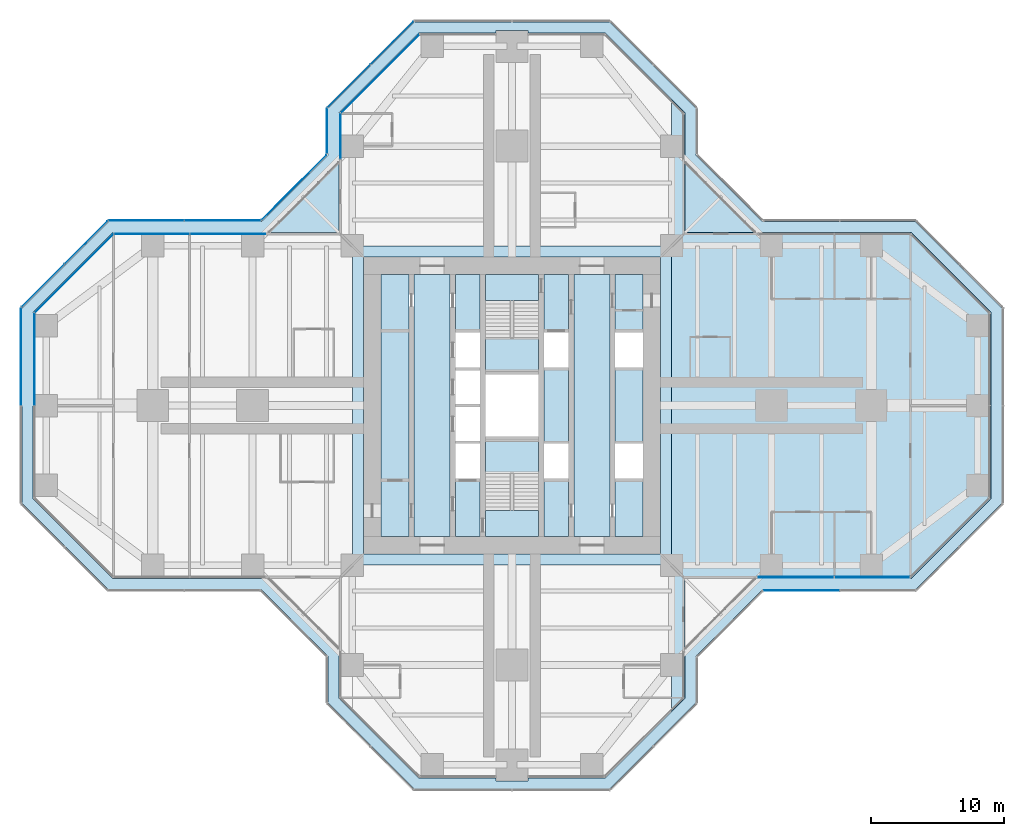
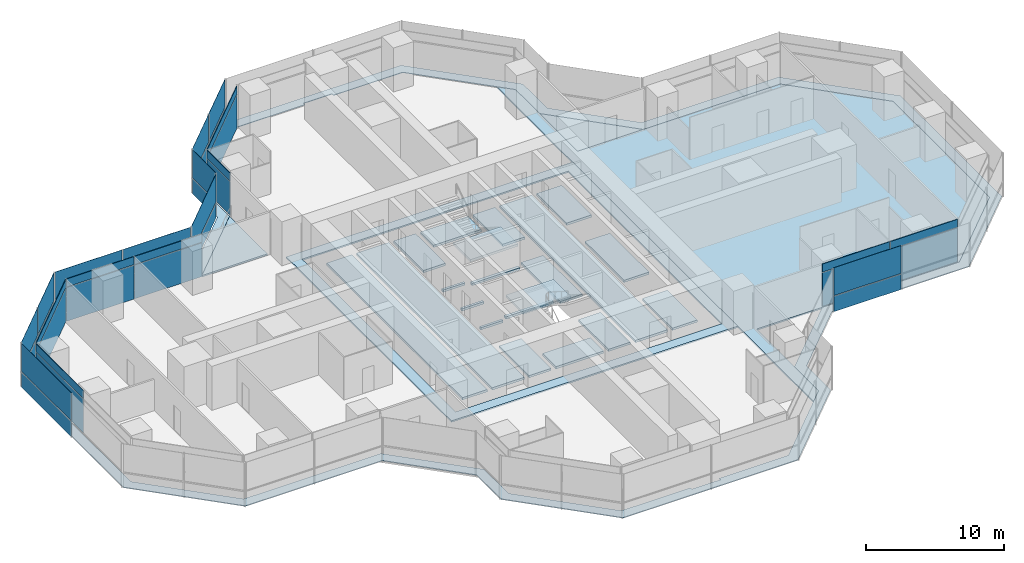
# One storey, part 13 of 20: 37 plates, 9 slabs, 15 elements without a shape of their own.
"""IFC4 building model written with IfcOpenShell, lengths in metres."""

from ifc_helpers import new_model, si_unit, direction, frame, origin, origin_2d, place, context, subcontext, project, spatial, polyline, rectangle, outline, extrude, material, layer, layer_set, type_object, element, aggregate, save


model = new_model("IFC4")

# Units and contexts
model_context = context("Model", 3, precision=1e-05, world=origin(), true_north=direction((0.0, 1.0)))
body_context = subcontext(model_context, "Body", "Model", "MODEL_VIEW")
ifc_project = project(units=[si_unit("LENGTHUNIT", "METRE"), si_unit("AREAUNIT", "SQUARE_METRE"), si_unit("VOLUMEUNIT", "CUBIC_METRE"), si_unit("PLANEANGLEUNIT", "RADIAN"), si_unit("MASSUNIT", "GRAM", prefix="KILO")], contexts=[model_context])

# Site, building, storey
site_placement = place(None, origin())
site = spatial("IfcSite", under=ifc_project, at=site_placement, CompositionType="ELEMENT")
building_placement = place(site_placement, origin())
building = spatial("IfcBuilding", under=site, at=building_placement, Name="Mizan Broadcast Tower", CompositionType="ELEMENT")
storey_placement = place(building_placement, frame((0.0, 0.0, 151.5)))
storey = spatial("IfcBuildingStorey", under=building, at=storey_placement, Name="L34", CompositionType="ELEMENT", Elevation=151.5)

# Plate
ifc_material_1 = material(Name="Aluminium grating", Category="aluminium")
ifc_layer_1 = layer(ifc_material_1, 0.050048828125)
ifc_layer_set_1 = layer_set([ifc_layer_1], Name="Aluminium grating")
plate_type_1 = type_object("IfcPlateType", Name="CAVITY GRATING", PredefinedType="USERDEFINED", material=ifc_layer_set_1)
plate_1_placement = place(storey_placement, frame((0.0, 0.0, -0.050048828125)))
element("IfcPlate", 1, at=plate_1_placement, inside=storey, type_object=plate_type_1, Name="Cavity grating L34", ObjectType="GRATING", PredefinedType="USERDEFINED", context=body_context, shape_type="SweptSolid", body=[
    extrude(outline(polyline([(13.820068359375, -18.839599609375), (18.839599609375, -13.820068359375), (30.339599609375, -13.820068359375), (36.820068359375, -7.339599609375), (36.820068359375, 7.339599609375), (30.339599609375, 13.820068359375), (18.839599609375, 13.820068359375), (13.820068359375, 18.839599609375), (13.820068359375, 22.339599609375), (7.339599609375, 28.820068359375), (-7.339599609375, 28.820068359375), (-13.820068359375, 22.339599609375), (-13.820068359375, 18.839599609375), (-18.839599609375, 13.820068359375), (-30.339599609375, 13.820068359375), (-36.820068359375, 7.339599609375), (-36.820068359375, -7.339599609375), (-30.339599609375, -13.820068359375), (-18.839599609375, -13.820068359375), (-13.820068359375, -18.839599609375), (-13.820068359375, -22.339599609375), (-7.339599609375, -28.820068359375), (7.339599609375, -28.820068359375), (13.820068359375, -22.339599609375), (13.820068359375, -18.839599609375)]), holes=[polyline([(36.0, 7.0), (36.0, -7.0), (30.0, -13.0), (18.5, -13.0), (13.0, -18.5), (13.0, -22.0), (7.0, -28.0), (1.199951171875, -28.0), (1.199951171875, -28.199951171875), (-1.199951171875, -28.199951171875), (-1.199951171875, -28.0), (-7.0, -28.0), (-13.0, -22.0), (-13.0, -18.5), (-18.5, -13.0), (-30.0, -13.0), (-36.0, -7.0), (-36.0, 7.0), (-30.0, 13.0), (-18.5, 13.0), (-13.0, 18.5), (-13.0, 22.0), (-7.0, 28.0), (-1.199951171875, 28.0), (-1.199951171875, 28.199951171875), (1.199951171875, 28.199951171875), (1.199951171875, 28.0), (7.0, 28.0), (13.0, 22.0), (13.0, 18.5), (18.5, 13.0), (30.0, 13.0), (36.0, 7.0)])]), origin(), (0.0, 0.0, 1.0), 0.050048828125),
])

# Slabs
ifc_material_2 = material(Name="Concrete C32/40", Category="concrete")
ifc_layer_2 = layer(ifc_material_2, 0.1298828125)
ifc_layer_set_2 = layer_set([ifc_layer_2], Name="Concrete C32/40")
slab_type_1 = type_object("IfcSlabType", Name="COMPOSITE DECK SLAB 130", PredefinedType="FLOOR", material=ifc_layer_set_2)
slab_1_placement = place(storey_placement, frame((0.0, 0.0, -0.1298828125)))
element("IfcSlab", 2, at=slab_1_placement, inside=storey, type_object=slab_type_1, Name="Floor slab L34 centre", PredefinedType="FLOOR", context=body_context, shape_type="SweptSolid", body=[
    extrude(outline(polyline([(-12.0, -12.0), (12.0, -12.0), (12.0, 12.0), (-12.0, 12.0), (-12.0, -12.0)]), holes=[polyline([(-11.14990234375, 11.14990234375), (11.14990234375, 11.14990234375), (11.14990234375, -11.14990234375), (-11.14990234375, -11.14990234375), (-11.14990234375, 11.14990234375)])]), origin(), (0.0, 0.0, 1.0), 0.1298828125),
])
slab_2_placement = place(storey_placement, frame((0.0, 0.0, -0.1298828125)))
element("IfcSlab", 3, at=slab_2_placement, inside=storey, type_object=slab_type_1, Name="Floor slab L34 east arm", PredefinedType="FLOOR", context=body_context, shape_type="SweptSolid", body=[
    extrude(outline(polyline([(12.0, -23.0), (13.0, -22.0), (13.0, -13.0), (30.0, -13.0), (36.0, -7.0), (36.0, 7.0), (30.0, 13.0), (13.0, 13.0), (13.0, 22.0), (12.0, 23.0), (12.0, -23.0)])), origin(), (0.0, 0.0, 1.0), 0.1298828125),
])
ifc_material_3 = material(Name="Concrete C40/50", Category="concrete")
ifc_layer_3 = layer(ifc_material_3, 0.199951171875)
ifc_layer_set_3 = layer_set([ifc_layer_3], Name="Concrete C40/50")
slab_type_2 = type_object("IfcSlabType", Name="CORE FLOOR 200", PredefinedType="FLOOR", material=ifc_layer_set_3)
slab_3_placement = place(storey_placement, frame((0.0, 0.0, -0.199951171875)))
element("IfcSlab", 4, at=slab_3_placement, inside=storey, type_object=slab_type_2, Name="Core floor L34", PredefinedType="FLOOR", context=body_context, shape_type="SweptSolid", body=[
    extrude(outline(polyline([(-9.85009765625, -9.85009765625), (-7.75, -9.85009765625), (-7.75, 9.85009765625), (-9.85009765625, 9.85009765625), (-9.85009765625, -9.85009765625)])), origin(), (0.0, 0.0, 1.0), 0.199951171875),
    extrude(outline(polyline([(-4.64990234375, 9.85009765625), (-7.35009765625, 9.85009765625), (-7.35009765625, -9.85009765625), (-4.64990234375, -9.85009765625), (-4.64990234375, 9.85009765625)])), origin(), (0.0, 0.0, 1.0), 0.199951171875),
    extrude(outline(polyline([(-4.25, -5.5), (-4.25, -9.85009765625), (-2.39990234375, -9.85009765625), (-2.39990234375, -5.5), (-4.25, -5.5)])), origin(), (0.0, 0.0, 1.0), 0.199951171875),
    extrude(outline(polyline([(-4.25, -2.85009765625), (-2.39990234375, -2.85009765625), (-2.39990234375, -2.64990234375), (-4.25, -2.64990234375), (-4.25, -2.85009765625)])), origin(), (0.0, 0.0, 1.0), 0.199951171875),
    extrude(outline(polyline([(-4.25, -0.10009765625), (-2.39990234375, -0.10009765625), (-2.39990234375, 0.10009765625), (-4.25, 0.10009765625), (-4.25, -0.10009765625)])), origin(), (0.0, 0.0, 1.0), 0.199951171875),
    extrude(outline(polyline([(-4.25, 2.64990234375), (-2.39990234375, 2.64990234375), (-2.39990234375, 2.85009765625), (-4.25, 2.85009765625), (-4.25, 2.64990234375)])), origin(), (0.0, 0.0, 1.0), 0.199951171875),
    extrude(outline(polyline([(-4.25, 5.5), (-2.39990234375, 5.5), (-2.39990234375, 9.85009765625), (-4.25, 9.85009765625), (-4.25, 5.5)])), origin(), (0.0, 0.0, 1.0), 0.199951171875),
    extrude(outline(polyline([(2.0, -2.324951171875), (-2.0, -2.324951171875), (-2.0, -2.574951171875), (2.0, -2.574951171875), (2.0, -2.324951171875)])), origin(), (0.0, 0.0, 1.0), 0.199951171875),
    extrude(outline(polyline([(2.0, 2.574951171875), (-2.0, 2.574951171875), (-2.0, 2.324951171875), (2.0, 2.324951171875), (2.0, 2.574951171875)])), origin(), (0.0, 0.0, 1.0), 0.199951171875),
    extrude(outline(polyline([(4.25, -9.85009765625), (4.25, -5.5), (2.39990234375, -5.5), (2.39990234375, -9.85009765625), (4.25, -9.85009765625)])), origin(), (0.0, 0.0, 1.0), 0.199951171875),
    extrude(outline(polyline([(4.25, -2.85009765625), (4.25, 2.85009765625), (2.39990234375, 2.85009765625), (2.39990234375, -2.85009765625), (4.25, -2.85009765625)])), origin(), (0.0, 0.0, 1.0), 0.199951171875),
    extrude(outline(polyline([(4.25, 5.5), (4.25, 9.85009765625), (2.39990234375, 9.85009765625), (2.39990234375, 5.5), (4.25, 5.5)])), origin(), (0.0, 0.0, 1.0), 0.199951171875),
    extrude(outline(polyline([(4.64990234375, 9.85009765625), (4.64990234375, -9.85009765625), (7.35009765625, -9.85009765625), (7.35009765625, 9.85009765625), (4.64990234375, 9.85009765625)])), origin(), (0.0, 0.0, 1.0), 0.199951171875),
    extrude(outline(polyline([(9.85009765625, -9.85009765625), (9.85009765625, -5.5), (7.75, -5.5), (7.75, -9.85009765625), (9.85009765625, -9.85009765625)])), origin(), (0.0, 0.0, 1.0), 0.199951171875),
    extrude(outline(polyline([(7.75, -2.85009765625), (9.85009765625, -2.85009765625), (9.85009765625, 2.85009765625), (7.75, 2.85009765625), (7.75, -2.85009765625)])), origin(), (0.0, 0.0, 1.0), 0.199951171875),
    extrude(outline(polyline([(9.85009765625, 5.5), (9.85009765625, 9.85009765625), (7.75, 9.85009765625), (7.75, 5.5), (9.85009765625, 5.5)])), origin(), (0.0, 0.0, 1.0), 0.199951171875),
])

# Curtain wall, plates
ifc_material_4 = material(Name="Aluminium framed glazing", Category="aluminium")
curtain_wall_type_1 = type_object("IfcCurtainWallType", Name="INNER SKIN MID ZONE", PredefinedType="USERDEFINED", material=ifc_material_4)
curtain_wall_1_placement = place(storey_placement, origin())
curtain_wall_1 = element("IfcCurtainWall", 5, at=curtain_wall_1_placement, inside=storey, type_object=curtain_wall_type_1, Name="Inner skin mid zone L34 E side", ObjectType="INNER SKIN MID ZONE", PredefinedType="USERDEFINED")
ifc_material_5 = material(Name="Double glazing, clear low-e", Category="glass")
ifc_layer_4 = layer(ifc_material_5, 0.028076171875)
ifc_layer_set_4 = layer_set([ifc_layer_4], Name="Double glazing, clear low-e")
plate_type_2 = type_object("IfcPlateType", Name="INNER SKIN GLAZING UNIT", PredefinedType="CURTAIN_PANEL", material=ifc_layer_set_4)
plate_2_placement = place(storey_placement, frame((21.379638671875, -12.89990234375, 0.0), z_axis=(0.0, 0.0, 1.0), x_axis=(1.0, 0.0, 0.0)))
plate_2 = element("IfcPlate", 6, at=plate_2_placement, type_object=plate_type_2, Name="Inner skin mid zone L34 E side panel 1.1", PredefinedType="CURTAIN_PANEL", context=body_context, shape_type="SweptSolid", body=[
    extrude(rectangle(XDim=5.639404296875, YDim=0.028076171875, at=origin_2d()), origin(), (0.0, 0.0, 1.0), 3.0),
])
plate_3_placement = place(storey_placement, frame((27.078857421875, -12.89990234375, 0.0), z_axis=(0.0, 0.0, 1.0), x_axis=(1.0, 0.0, 0.0)))
plate_3 = element("IfcPlate", 7, at=plate_3_placement, type_object=plate_type_2, Name="Inner skin mid zone L34 E side panel 2.1", PredefinedType="CURTAIN_PANEL", context=body_context, shape_type="SweptSolid", body=[
    extrude(rectangle(XDim=5.639404296875, YDim=0.028076171875, at=origin_2d()), origin(), (0.0, 0.0, 1.0), 3.0),
])

# Curtain wall, plate
curtain_wall_2_placement = place(storey_placement, origin())
curtain_wall_2 = element("IfcCurtainWall", 8, at=curtain_wall_2_placement, inside=storey, type_object=curtain_wall_type_1, Name="Inner skin mid zone L34 N chamfer", ObjectType="INNER SKIN MID ZONE", PredefinedType="USERDEFINED")
plate_4_placement = place(storey_placement, frame((-9.92919921875, 24.92919921875, 0.0), z_axis=(0.0, 0.0, 1.0), x_axis=(-0.707106781187, -0.707106781187, 0.0)))
plate_4 = element("IfcPlate", 9, at=plate_4_placement, type_object=plate_type_2, Name="Inner skin mid zone L34 N chamfer panel 1.1", PredefinedType="CURTAIN_PANEL", context=body_context, shape_type="SweptSolid", body=[
    extrude(rectangle(XDim=8.282470703125, YDim=0.028076171875, at=origin_2d()), origin(), (0.0, 0.0, 1.0), 3.0),
])

curtain_wall_3_placement = place(storey_placement, origin())
curtain_wall_3 = element("IfcCurtainWall", 10, at=curtain_wall_3_placement, inside=storey, type_object=curtain_wall_type_1, Name="Inner skin mid zone L34 N side", ObjectType="INNER SKIN MID ZONE", PredefinedType="USERDEFINED")
plate_5_placement = place(storey_placement, frame((-12.89990234375, 20.229248046875, 0.0), z_axis=(0.0, 0.0, 1.0), x_axis=(0.0, -1.0, 0.0)))
plate_5 = element("IfcPlate", 11, at=plate_5_placement, type_object=plate_type_2, Name="Inner skin mid zone L34 N side panel 1.1", PredefinedType="CURTAIN_PANEL", context=body_context, shape_type="SweptSolid", body=[
    extrude(rectangle(XDim=3.338623046875, YDim=0.028076171875, at=origin_2d()), origin(), (0.0, 0.0, 1.0), 3.0),
])

# Curtain wall, plates
curtain_wall_4_placement = place(storey_placement, origin())
curtain_wall_4 = element("IfcCurtainWall", 12, at=curtain_wall_4_placement, inside=storey, type_object=curtain_wall_type_1, Name="Inner skin mid zone L34 W side", ObjectType="INNER SKIN MID ZONE", PredefinedType="USERDEFINED")
plate_6_placement = place(storey_placement, frame((-21.379638671875, 12.89990234375, 0.0), z_axis=(0.0, 0.0, 1.0), x_axis=(-1.0, 0.0, 0.0)))
plate_6 = element("IfcPlate", 13, at=plate_6_placement, type_object=plate_type_2, Name="Inner skin mid zone L34 W side panel 1.1", PredefinedType="CURTAIN_PANEL", context=body_context, shape_type="SweptSolid", body=[
    extrude(rectangle(XDim=5.639404296875, YDim=0.028076171875, at=origin_2d()), origin(), (0.0, 0.0, 1.0), 3.0),
])
plate_7_placement = place(storey_placement, frame((-27.078857421875, 12.89990234375, 0.0), z_axis=(0.0, 0.0, 1.0), x_axis=(-1.0, 0.0, 0.0)))
plate_7 = element("IfcPlate", 14, at=plate_7_placement, type_object=plate_type_2, Name="Inner skin mid zone L34 W side panel 2.1", PredefinedType="CURTAIN_PANEL", context=body_context, shape_type="SweptSolid", body=[
    extrude(rectangle(XDim=5.639404296875, YDim=0.028076171875, at=origin_2d()), origin(), (0.0, 0.0, 1.0), 3.0),
])

# Curtain wall, plate
curtain_wall_5_placement = place(storey_placement, origin())
curtain_wall_5 = element("IfcCurtainWall", 15, at=curtain_wall_5_placement, inside=storey, type_object=curtain_wall_type_1, Name="Inner skin mid zone L34 W chamfer", ObjectType="INNER SKIN MID ZONE", PredefinedType="USERDEFINED")
plate_8_placement = place(storey_placement, frame((-32.92919921875, 9.92919921875, 0.0), z_axis=(0.0, 0.0, 1.0), x_axis=(-0.707106781187, -0.707106781187, 0.0)))
plate_8 = element("IfcPlate", 16, at=plate_8_placement, type_object=plate_type_2, Name="Inner skin mid zone L34 W chamfer panel 1.1", PredefinedType="CURTAIN_PANEL", context=body_context, shape_type="SweptSolid", body=[
    extrude(rectangle(XDim=8.282470703125, YDim=0.028076171875, at=origin_2d()), origin(), (0.0, 0.0, 1.0), 3.0),
])

curtain_wall_6_placement = place(storey_placement, origin())
curtain_wall_6 = element("IfcCurtainWall", 17, at=curtain_wall_6_placement, inside=storey, type_object=curtain_wall_type_1, Name="Inner skin mid zone L34 W end", ObjectType="INNER SKIN MID ZONE", PredefinedType="USERDEFINED")
plate_9_placement = place(storey_placement, frame((-35.89990234375, 3.46435546875, 0.0), z_axis=(0.0, 0.0, 1.0), x_axis=(0.0, -1.0, 0.0)))
plate_9 = element("IfcPlate", 18, at=plate_9_placement, type_object=plate_type_2, Name="Inner skin mid zone L34 W end panel 1.1", PredefinedType="CURTAIN_PANEL", context=body_context, shape_type="SweptSolid", body=[
    extrude(rectangle(XDim=6.86865234375, YDim=0.028076171875, at=origin_2d()), origin(), (0.0, 0.0, 1.0), 3.0),
])

# Plate
ifc_material_6 = material(Name="Insulated aluminium spandrel panel, pale anodised", Category="aluminium")
ifc_layer_5 = layer(ifc_material_6, 0.050048828125)
ifc_layer_set_5 = layer_set([ifc_layer_5], Name="Insulated aluminium spandrel panel, pale anodised")
plate_type_3 = type_object("IfcPlateType", Name="INNER SKIN SPANDREL PANEL", PredefinedType="CURTAIN_PANEL", material=ifc_layer_set_5)
plate_10_placement = place(storey_placement, frame((21.379638671875, -12.89990234375, 3.06005859375), z_axis=(0.0, 0.0, 1.0), x_axis=(1.0, 0.0, 0.0)))
plate_10 = element("IfcPlate", 19, at=plate_10_placement, type_object=plate_type_3, Name="Inner skin mid zone L34 E side panel 1.2", PredefinedType="CURTAIN_PANEL", context=body_context, shape_type="SweptSolid", body=[
    extrude(rectangle(XDim=5.639404296875, YDim=0.050048828125, at=origin_2d()), origin(), (0.0, 0.0, 1.0), 0.7099609375),
])

plate_11_placement = place(storey_placement, frame((27.078857421875, -12.89990234375, 3.06005859375), z_axis=(0.0, 0.0, 1.0), x_axis=(1.0, 0.0, 0.0)))
plate_11 = element("IfcPlate", 20, at=plate_11_placement, type_object=plate_type_3, Name="Inner skin mid zone L34 E side panel 2.2", PredefinedType="CURTAIN_PANEL", context=body_context, shape_type="SweptSolid", body=[
    extrude(rectangle(XDim=5.639404296875, YDim=0.050048828125, at=origin_2d()), origin(), (0.0, 0.0, 1.0), 0.7099609375),
])

aggregate(curtain_wall_1, [plate_2, plate_10, plate_3, plate_11])

plate_12_placement = place(storey_placement, frame((-9.92919921875, 24.92919921875, 3.06005859375), z_axis=(0.0, 0.0, 1.0), x_axis=(-0.707106781187, -0.707106781187, 0.0)))
plate_12 = element("IfcPlate", 21, at=plate_12_placement, type_object=plate_type_3, Name="Inner skin mid zone L34 N chamfer panel 1.2", PredefinedType="CURTAIN_PANEL", context=body_context, shape_type="SweptSolid", body=[
    extrude(rectangle(XDim=8.282470703125, YDim=0.050048828125, at=origin_2d()), origin(), (0.0, 0.0, 1.0), 0.7099609375),
])

aggregate(curtain_wall_2, [plate_4, plate_12])

plate_13_placement = place(storey_placement, frame((-12.89990234375, 20.229248046875, 3.06005859375), z_axis=(0.0, 0.0, 1.0), x_axis=(0.0, -1.0, 0.0)))
plate_13 = element("IfcPlate", 22, at=plate_13_placement, type_object=plate_type_3, Name="Inner skin mid zone L34 N side panel 1.2", PredefinedType="CURTAIN_PANEL", context=body_context, shape_type="SweptSolid", body=[
    extrude(rectangle(XDim=3.338623046875, YDim=0.050048828125, at=origin_2d()), origin(), (0.0, 0.0, 1.0), 0.7099609375),
])

aggregate(curtain_wall_3, [plate_5, plate_13])

plate_14_placement = place(storey_placement, frame((-21.379638671875, 12.89990234375, 3.06005859375), z_axis=(0.0, 0.0, 1.0), x_axis=(-1.0, 0.0, 0.0)))
plate_14 = element("IfcPlate", 23, at=plate_14_placement, type_object=plate_type_3, Name="Inner skin mid zone L34 W side panel 1.2", PredefinedType="CURTAIN_PANEL", context=body_context, shape_type="SweptSolid", body=[
    extrude(rectangle(XDim=5.639404296875, YDim=0.050048828125, at=origin_2d()), origin(), (0.0, 0.0, 1.0), 0.7099609375),
])

plate_15_placement = place(storey_placement, frame((-27.078857421875, 12.89990234375, 3.06005859375), z_axis=(0.0, 0.0, 1.0), x_axis=(-1.0, 0.0, 0.0)))
plate_15 = element("IfcPlate", 24, at=plate_15_placement, type_object=plate_type_3, Name="Inner skin mid zone L34 W side panel 2.2", PredefinedType="CURTAIN_PANEL", context=body_context, shape_type="SweptSolid", body=[
    extrude(rectangle(XDim=5.639404296875, YDim=0.050048828125, at=origin_2d()), origin(), (0.0, 0.0, 1.0), 0.7099609375),
])

aggregate(curtain_wall_4, [plate_6, plate_14, plate_7, plate_15])

plate_16_placement = place(storey_placement, frame((-32.92919921875, 9.92919921875, 3.06005859375), z_axis=(0.0, 0.0, 1.0), x_axis=(-0.707106781187, -0.707106781187, 0.0)))
plate_16 = element("IfcPlate", 25, at=plate_16_placement, type_object=plate_type_3, Name="Inner skin mid zone L34 W chamfer panel 1.2", PredefinedType="CURTAIN_PANEL", context=body_context, shape_type="SweptSolid", body=[
    extrude(rectangle(XDim=8.282470703125, YDim=0.050048828125, at=origin_2d()), origin(), (0.0, 0.0, 1.0), 0.7099609375),
])

aggregate(curtain_wall_5, [plate_8, plate_16])

plate_17_placement = place(storey_placement, frame((-35.89990234375, 3.46435546875, 3.06005859375), z_axis=(0.0, 0.0, 1.0), x_axis=(0.0, -1.0, 0.0)))
plate_17 = element("IfcPlate", 26, at=plate_17_placement, type_object=plate_type_3, Name="Inner skin mid zone L34 W end panel 1.2", PredefinedType="CURTAIN_PANEL", context=body_context, shape_type="SweptSolid", body=[
    extrude(rectangle(XDim=6.86865234375, YDim=0.050048828125, at=origin_2d()), origin(), (0.0, 0.0, 1.0), 0.7099609375),
])

aggregate(curtain_wall_6, [plate_9, plate_17])

# Curtain wall, plates
ifc_material_7 = material(Name="Aluminium framed glazing", Category="aluminium")
curtain_wall_type_2 = type_object("IfcCurtainWallType", Name="OUTER SKIN", PredefinedType="USERDEFINED", material=ifc_material_7)
curtain_wall_7_placement = place(storey_placement, origin())
curtain_wall_7 = element("IfcCurtainWall", 27, at=curtain_wall_7_placement, inside=storey, type_object=curtain_wall_type_2, Name="Outer skin L34 N chamfer", ObjectType="OUTER SKIN", PredefinedType="USERDEFINED")
ifc_material_8 = material(Name="Laminated clear glass", Category="glass")
ifc_layer_6 = layer(ifc_material_8, 0.02001953125)
ifc_layer_set_6 = layer_set([ifc_layer_6], Name="Laminated clear glass")
plate_type_4 = type_object("IfcPlateType", Name="OUTER SKIN CLEAR GLASS", PredefinedType="CURTAIN_PANEL", material=ifc_layer_set_6)
plate_18_placement = place(storey_placement, frame((-9.018798828125, 27.254150390625, 0.0), z_axis=(0.0, 0.0, 1.0), x_axis=(-0.707106781187, -0.707106781187, 0.0)))
plate_18 = element("IfcPlate", 28, at=plate_18_placement, type_object=plate_type_4, Name="Outer skin L34 N chamfer panel 1.1", PredefinedType="CURTAIN_PANEL", context=body_context, shape_type="SweptSolid", body=[
    extrude(rectangle(XDim=4.495361328125, YDim=0.02001953125, at=origin_2d()), origin(), (0.0, 0.0, 1.0), 1.3701171875),
])
plate_19_placement = place(storey_placement, frame((-9.018798828125, 27.254150390625, 1.43017578125), z_axis=(0.0, 0.0, 1.0), x_axis=(-0.707106781187, -0.707106781187, 0.0)))
plate_19 = element("IfcPlate", 29, at=plate_19_placement, type_object=plate_type_4, Name="Outer skin L34 N chamfer panel 1.2", PredefinedType="CURTAIN_PANEL", context=body_context, shape_type="SweptSolid", body=[
    extrude(rectangle(XDim=4.495361328125, YDim=0.02001953125, at=origin_2d()), origin(), (0.0, 0.0, 1.0), 2.469970703125),
])

curtain_wall_8_placement = place(storey_placement, origin())
curtain_wall_8 = element("IfcCurtainWall", 30, at=curtain_wall_8_placement, inside=storey, type_object=curtain_wall_type_2, Name="Outer skin L34 N side", ObjectType="OUTER SKIN", PredefinedType="USERDEFINED")
plate_20_placement = place(storey_placement, frame((-13.89990234375, 20.622802734375, 0.0), z_axis=(0.0, 0.0, 1.0), x_axis=(0.0, -1.0, 0.0)))
plate_20 = element("IfcPlate", 31, at=plate_20_placement, type_object=plate_type_4, Name="Outer skin L34 N side panel 1.1", PredefinedType="CURTAIN_PANEL", context=body_context, shape_type="SweptSolid", body=[
    extrude(rectangle(XDim=3.340087890625, YDim=0.02001953125, at=origin_2d()), origin(), (0.0, 0.0, 1.0), 1.3701171875),
])
plate_21_placement = place(storey_placement, frame((-13.89990234375, 20.622802734375, 1.43017578125), z_axis=(0.0, 0.0, 1.0), x_axis=(0.0, -1.0, 0.0)))
plate_21 = element("IfcPlate", 32, at=plate_21_placement, type_object=plate_type_4, Name="Outer skin L34 N side panel 1.2", PredefinedType="CURTAIN_PANEL", context=body_context, shape_type="SweptSolid", body=[
    extrude(rectangle(XDim=3.340087890625, YDim=0.02001953125, at=origin_2d()), origin(), (0.0, 0.0, 1.0), 2.469970703125),
])
aggregate(curtain_wall_8, [plate_20, plate_21])

curtain_wall_9_placement = place(storey_placement, origin())
curtain_wall_9 = element("IfcCurtainWall", 33, at=curtain_wall_9_placement, inside=storey, type_object=curtain_wall_type_2, Name="Outer skin L34 W chamfer", ObjectType="OUTER SKIN", PredefinedType="USERDEFINED")
plate_22_placement = place(storey_placement, frame((-16.386474609375, 16.386474609375, 0.0), z_axis=(0.0, 0.0, 1.0), x_axis=(-0.707106781187, -0.707106781187, 0.0)))
plate_22 = element("IfcPlate", 34, at=plate_22_placement, type_object=plate_type_4, Name="Outer skin L34 W chamfer panel 1.1", PredefinedType="CURTAIN_PANEL", context=body_context, shape_type="SweptSolid", body=[
    extrude(rectangle(XDim=6.87255859375, YDim=0.02001953125, at=origin_2d()), origin(), (0.0, 0.0, 1.0), 1.3701171875),
])
plate_23_placement = place(storey_placement, frame((-16.386474609375, 16.386474609375, 1.43017578125), z_axis=(0.0, 0.0, 1.0), x_axis=(-0.707106781187, -0.707106781187, 0.0)))
plate_23 = element("IfcPlate", 35, at=plate_23_placement, type_object=plate_type_4, Name="Outer skin L34 W chamfer panel 1.2", PredefinedType="CURTAIN_PANEL", context=body_context, shape_type="SweptSolid", body=[
    extrude(rectangle(XDim=6.87255859375, YDim=0.02001953125, at=origin_2d()), origin(), (0.0, 0.0, 1.0), 2.469970703125),
])
aggregate(curtain_wall_9, [plate_22, plate_23])

curtain_wall_10_placement = place(storey_placement, origin())
curtain_wall_10 = element("IfcCurtainWall", 36, at=curtain_wall_10_placement, inside=storey, type_object=curtain_wall_type_2, Name="Outer skin L34 W side", ObjectType="OUTER SKIN", PredefinedType="USERDEFINED")
plate_24_placement = place(storey_placement, frame((-21.767822265625, 13.89990234375, 0.0), z_axis=(0.0, 0.0, 1.0), x_axis=(-1.0, 0.0, 0.0)))
plate_24 = element("IfcPlate", 37, at=plate_24_placement, type_object=plate_type_4, Name="Outer skin L34 W side panel 1.1", PredefinedType="CURTAIN_PANEL", context=body_context, shape_type="SweptSolid", body=[
    extrude(rectangle(XDim=5.6298828125, YDim=0.02001953125, at=origin_2d()), origin(), (0.0, 0.0, 1.0), 1.3701171875),
])
plate_25_placement = place(storey_placement, frame((-21.767822265625, 13.89990234375, 1.43017578125), z_axis=(0.0, 0.0, 1.0), x_axis=(-1.0, 0.0, 0.0)))
plate_25 = element("IfcPlate", 38, at=plate_25_placement, type_object=plate_type_4, Name="Outer skin L34 W side panel 1.2", PredefinedType="CURTAIN_PANEL", context=body_context, shape_type="SweptSolid", body=[
    extrude(rectangle(XDim=5.6298828125, YDim=0.02001953125, at=origin_2d()), origin(), (0.0, 0.0, 1.0), 2.469970703125),
])
plate_26_placement = place(storey_placement, frame((-27.477783203125, 13.89990234375, 0.0), z_axis=(0.0, 0.0, 1.0), x_axis=(-1.0, 0.0, 0.0)))
plate_26 = element("IfcPlate", 39, at=plate_26_placement, type_object=plate_type_4, Name="Outer skin L34 W side panel 2.1", PredefinedType="CURTAIN_PANEL", context=body_context, shape_type="SweptSolid", body=[
    extrude(rectangle(XDim=5.6298828125, YDim=0.02001953125, at=origin_2d()), origin(), (0.0, 0.0, 1.0), 1.3701171875),
])
plate_27_placement = place(storey_placement, frame((-27.477783203125, 13.89990234375, 1.43017578125), z_axis=(0.0, 0.0, 1.0), x_axis=(-1.0, 0.0, 0.0)))
plate_27 = element("IfcPlate", 40, at=plate_27_placement, type_object=plate_type_4, Name="Outer skin L34 W side panel 2.2", PredefinedType="CURTAIN_PANEL", context=body_context, shape_type="SweptSolid", body=[
    extrude(rectangle(XDim=5.6298828125, YDim=0.02001953125, at=origin_2d()), origin(), (0.0, 0.0, 1.0), 2.469970703125),
])
aggregate(curtain_wall_10, [plate_24, plate_25, plate_26, plate_27])

curtain_wall_11_placement = place(storey_placement, origin())
curtain_wall_11 = element("IfcCurtainWall", 41, at=curtain_wall_11_placement, inside=storey, type_object=curtain_wall_type_2, Name="Outer skin L34 W chamfer", ObjectType="OUTER SKIN", PredefinedType="USERDEFINED")
plate_28_placement = place(storey_placement, frame((-32.018798828125, 12.254150390625, 0.0), z_axis=(0.0, 0.0, 1.0), x_axis=(-0.707106781187, -0.707106781187, 0.0)))
plate_28 = element("IfcPlate", 42, at=plate_28_placement, type_object=plate_type_4, Name="Outer skin L34 W chamfer panel 1.1", PredefinedType="CURTAIN_PANEL", context=body_context, shape_type="SweptSolid", body=[
    extrude(rectangle(XDim=4.495361328125, YDim=0.02001953125, at=origin_2d()), origin(), (0.0, 0.0, 1.0), 1.3701171875),
])
plate_29_placement = place(storey_placement, frame((-32.018798828125, 12.254150390625, 1.43017578125), z_axis=(0.0, 0.0, 1.0), x_axis=(-0.707106781187, -0.707106781187, 0.0)))
plate_29 = element("IfcPlate", 43, at=plate_29_placement, type_object=plate_type_4, Name="Outer skin L34 W chamfer panel 1.2", PredefinedType="CURTAIN_PANEL", context=body_context, shape_type="SweptSolid", body=[
    extrude(rectangle(XDim=4.495361328125, YDim=0.02001953125, at=origin_2d()), origin(), (0.0, 0.0, 1.0), 2.469970703125),
])

curtain_wall_12_placement = place(storey_placement, origin())
curtain_wall_12 = element("IfcCurtainWall", 44, at=curtain_wall_12_placement, inside=storey, type_object=curtain_wall_type_2, Name="Outer skin L34 W end", ObjectType="OUTER SKIN", PredefinedType="USERDEFINED")
plate_30_placement = place(storey_placement, frame((-36.89990234375, 3.66650390625, 0.0), z_axis=(0.0, 0.0, 1.0), x_axis=(0.0, -1.0, 0.0)))
plate_30 = element("IfcPlate", 45, at=plate_30_placement, type_object=plate_type_4, Name="Outer skin L34 W end panel 1.1", PredefinedType="CURTAIN_PANEL", context=body_context, shape_type="SweptSolid", body=[
    extrude(rectangle(XDim=7.252685546875, YDim=0.02001953125, at=origin_2d()), origin(), (0.0, 0.0, 1.0), 1.3701171875),
])
plate_31_placement = place(storey_placement, frame((-36.89990234375, 3.66650390625, 1.43017578125), z_axis=(0.0, 0.0, 1.0), x_axis=(0.0, -1.0, 0.0)))
plate_31 = element("IfcPlate", 46, at=plate_31_placement, type_object=plate_type_4, Name="Outer skin L34 W end panel 1.2", PredefinedType="CURTAIN_PANEL", context=body_context, shape_type="SweptSolid", body=[
    extrude(rectangle(XDim=7.252685546875, YDim=0.02001953125, at=origin_2d()), origin(), (0.0, 0.0, 1.0), 2.469970703125),
])
aggregate(curtain_wall_12, [plate_30, plate_31])

curtain_wall_13_placement = place(storey_placement, origin())
curtain_wall_13 = element("IfcCurtainWall", 47, at=curtain_wall_13_placement, inside=storey, type_object=curtain_wall_type_2, Name="Outer skin L34 E side", ObjectType="OUTER SKIN", PredefinedType="USERDEFINED")
plate_32_placement = place(storey_placement, frame((21.767822265625, -13.89990234375, 0.0), z_axis=(0.0, 0.0, 1.0), x_axis=(1.0, 0.0, 0.0)))
plate_32 = element("IfcPlate", 48, at=plate_32_placement, type_object=plate_type_4, Name="Outer skin L34 E side panel 1.1", PredefinedType="CURTAIN_PANEL", context=body_context, shape_type="SweptSolid", body=[
    extrude(rectangle(XDim=5.6298828125, YDim=0.02001953125, at=origin_2d()), origin(), (0.0, 0.0, 1.0), 1.3701171875),
])
plate_33_placement = place(storey_placement, frame((21.767822265625, -13.89990234375, 1.43017578125), z_axis=(0.0, 0.0, 1.0), x_axis=(1.0, 0.0, 0.0)))
plate_33 = element("IfcPlate", 49, at=plate_33_placement, type_object=plate_type_4, Name="Outer skin L34 E side panel 1.2", PredefinedType="CURTAIN_PANEL", context=body_context, shape_type="SweptSolid", body=[
    extrude(rectangle(XDim=5.6298828125, YDim=0.02001953125, at=origin_2d()), origin(), (0.0, 0.0, 1.0), 2.469970703125),
])
aggregate(curtain_wall_13, [plate_32, plate_33])

# Plate
ifc_material_9 = material(Name="Perforated aluminium, pale anodised", Category="aluminium")
ifc_layer_7 = layer(ifc_material_9, 0.011962890625)
ifc_layer_set_7 = layer_set([ifc_layer_7], Name="Perforated aluminium, pale anodised")
plate_type_5 = type_object("IfcPlateType", Name="OUTER SKIN PERFORATED SCREEN", PredefinedType="USERDEFINED", material=ifc_layer_set_7)
plate_34_placement = place(storey_placement, frame((-12.254150390625, 24.018798828125, 0.0), z_axis=(0.0, 0.0, 1.0), x_axis=(-0.707106781187, -0.707106781187, 0.0)))
plate_34 = element("IfcPlate", 50, at=plate_34_placement, type_object=plate_type_5, Name="Outer skin L34 N chamfer panel 2.1", ObjectType="SCREEN", PredefinedType="USERDEFINED", context=body_context, shape_type="SweptSolid", body=[
    extrude(rectangle(XDim=4.495361328125, YDim=0.011962890625, at=origin_2d()), origin(), (0.0, 0.0, 1.0), 1.3701171875),
])

plate_35_placement = place(storey_placement, frame((-12.254150390625, 24.018798828125, 1.43017578125), z_axis=(0.0, 0.0, 1.0), x_axis=(-0.707106781187, -0.707106781187, 0.0)))
plate_35 = element("IfcPlate", 51, at=plate_35_placement, type_object=plate_type_5, Name="Outer skin L34 N chamfer panel 2.2", ObjectType="SCREEN", PredefinedType="USERDEFINED", context=body_context, shape_type="SweptSolid", body=[
    extrude(rectangle(XDim=4.495361328125, YDim=0.011962890625, at=origin_2d()), origin(), (0.0, 0.0, 1.0), 2.469970703125),
])

aggregate(curtain_wall_7, [plate_18, plate_19, plate_34, plate_35])

plate_36_placement = place(storey_placement, frame((-35.254150390625, 9.018798828125, 0.0), z_axis=(0.0, 0.0, 1.0), x_axis=(-0.707106781187, -0.707106781187, 0.0)))
plate_36 = element("IfcPlate", 52, at=plate_36_placement, type_object=plate_type_5, Name="Outer skin L34 W chamfer panel 2.1", ObjectType="SCREEN", PredefinedType="USERDEFINED", context=body_context, shape_type="SweptSolid", body=[
    extrude(rectangle(XDim=4.495361328125, YDim=0.011962890625, at=origin_2d()), origin(), (0.0, 0.0, 1.0), 1.3701171875),
])

plate_37_placement = place(storey_placement, frame((-35.254150390625, 9.018798828125, 1.43017578125), z_axis=(0.0, 0.0, 1.0), x_axis=(-0.707106781187, -0.707106781187, 0.0)))
plate_37 = element("IfcPlate", 53, at=plate_37_placement, type_object=plate_type_5, Name="Outer skin L34 W chamfer panel 2.2", ObjectType="SCREEN", PredefinedType="USERDEFINED", context=body_context, shape_type="SweptSolid", body=[
    extrude(rectangle(XDim=4.495361328125, YDim=0.011962890625, at=origin_2d()), origin(), (0.0, 0.0, 1.0), 2.469970703125),
])

aggregate(curtain_wall_11, [plate_28, plate_29, plate_36, plate_37])

# Stair, slabs
ifc_material_10 = material(Name="Concrete C40/50", Category="concrete")
stair_type = type_object("IfcStairType", Name="EXIT STAIR", PredefinedType="HALF_TURN_STAIR", material=ifc_material_10)
stair_1_placement = place(storey_placement, origin())
stair_1 = element("IfcStair", 54, at=stair_1_placement, inside=storey, type_object=stair_type, Name="Stair A L34", PredefinedType="HALF_TURN_STAIR")
ifc_material_11 = material(Name="Concrete C40/50", Category="concrete")
ifc_layer_8 = layer(ifc_material_11, 0.199951171875)
ifc_layer_set_8 = layer_set([ifc_layer_8], Name="Concrete C40/50")
slab_type_3 = type_object("IfcSlabType", Name="STAIR LANDING 200", PredefinedType="LANDING", material=ifc_layer_set_8)
slab_4_placement = place(storey_placement, frame((0.0, 0.0, -0.199951171875)))
slab_4 = element("IfcSlab", 55, at=slab_4_placement, type_object=slab_type_3, Name="A landing 1", PredefinedType="LANDING", context=body_context, shape_type="SweptSolid", body=[
    extrude(outline(polyline([(-2.0, -9.85009765625), (-2.0, -7.89990234375), (2.0, -7.89990234375), (2.0, -9.85009765625), (-2.0, -9.85009765625)])), origin(), (0.0, 0.0, 1.0), 0.199951171875),
])
slab_5_placement = place(storey_placement, frame((0.0, 0.0, 1.75)))
slab_5 = element("IfcSlab", 56, at=slab_5_placement, type_object=slab_type_3, Name="A landing 2", PredefinedType="LANDING", context=body_context, shape_type="SweptSolid", body=[
    extrude(outline(polyline([(-2.0, -5.10009765625), (-2.0, -2.574951171875), (2.0, -2.574951171875), (2.0, -5.10009765625), (-2.0, -5.10009765625)])), origin(), (0.0, 0.0, 1.0), 0.199951171875),
])
aggregate(stair_1, [slab_4, slab_5])

stair_2_placement = place(storey_placement, origin())
stair_2 = element("IfcStair", 57, at=stair_2_placement, inside=storey, type_object=stair_type, Name="Stair B L34", PredefinedType="HALF_TURN_STAIR")
slab_6_placement = place(storey_placement, frame((0.0, 0.0, -0.199951171875)))
slab_6 = element("IfcSlab", 58, at=slab_6_placement, type_object=slab_type_3, Name="B landing 1", PredefinedType="LANDING", context=body_context, shape_type="SweptSolid", body=[
    extrude(outline(polyline([(2.0, 9.85009765625), (2.0, 7.89990234375), (-2.0, 7.89990234375), (-2.0, 9.85009765625), (2.0, 9.85009765625)])), origin(), (0.0, 0.0, 1.0), 0.199951171875),
])
slab_7_placement = place(storey_placement, frame((0.0, 0.0, 1.75)))
slab_7 = element("IfcSlab", 59, at=slab_7_placement, type_object=slab_type_3, Name="B landing 2", PredefinedType="LANDING", context=body_context, shape_type="SweptSolid", body=[
    extrude(outline(polyline([(2.0, 5.10009765625), (2.0, 2.574951171875), (-2.0, 2.574951171875), (-2.0, 5.10009765625), (2.0, 5.10009765625)])), origin(), (0.0, 0.0, 1.0), 0.199951171875),
])
aggregate(stair_2, [slab_6, slab_7])

# Slabs
ifc_material_12 = material(Name="Concrete C32/40", Category="concrete")
ifc_layer_9 = layer(ifc_material_12, 0.1298828125)
ifc_layer_set_9 = layer_set([ifc_layer_9], Name="Concrete C32/40")
slab_type_4 = type_object("IfcSlabType", Name="WINTER GARDEN SLAB 130", PredefinedType="FLOOR", material=ifc_layer_set_9)
slab_8_placement = place(storey_placement, frame((0.0, 0.0, -0.1298828125)))
element("IfcSlab", 60, at=slab_8_placement, inside=storey, type_object=slab_type_4, Name="Winter garden slab L34 E", PredefinedType="FLOOR", context=body_context, shape_type="SweptSolid", body=[
    extrude(outline(polyline([(13.0, 13.0), (18.5, 13.0), (13.0, 18.5), (13.0, 13.0)])), origin(), (0.0, 0.0, 1.0), 0.1298828125),
])
slab_9_placement = place(storey_placement, frame((0.0, 0.0, -0.1298828125)))
element("IfcSlab", 61, at=slab_9_placement, inside=storey, type_object=slab_type_4, Name="Winter garden slab L34 N", PredefinedType="FLOOR", context=body_context, shape_type="SweptSolid", body=[
    extrude(outline(polyline([(-13.0, 13.0), (-13.0, 18.5), (-18.5, 13.0), (-13.0, 13.0)])), origin(), (0.0, 0.0, 1.0), 0.1298828125),
])

save(model, "model.ifc")
